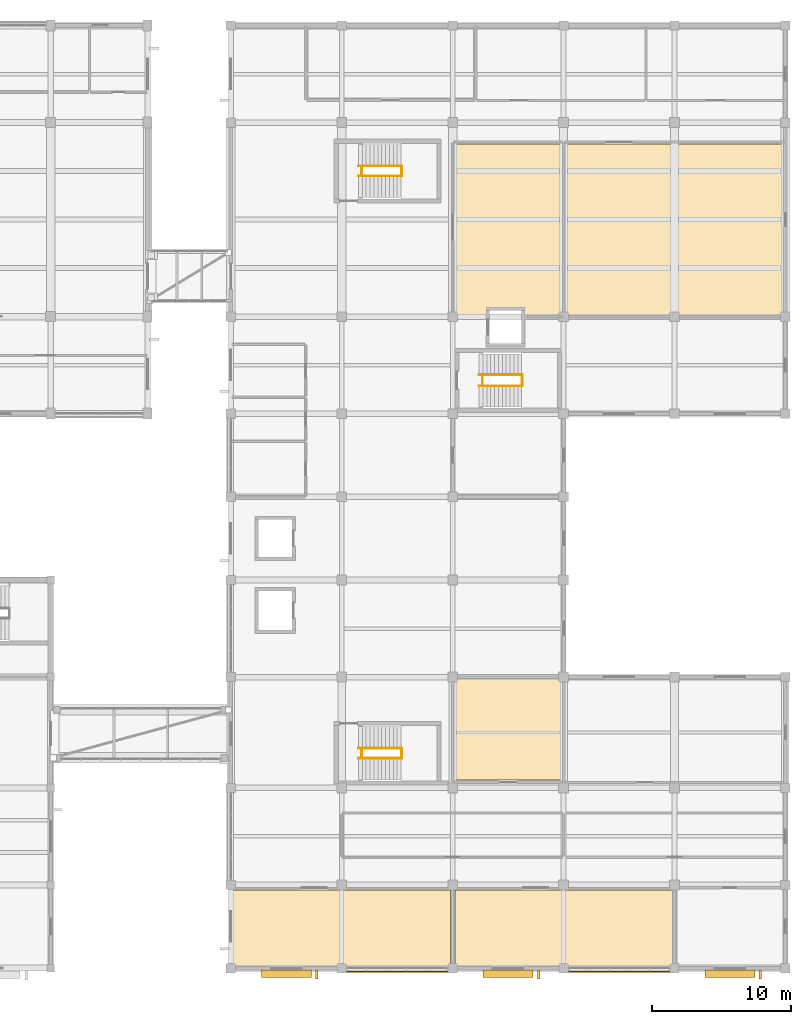
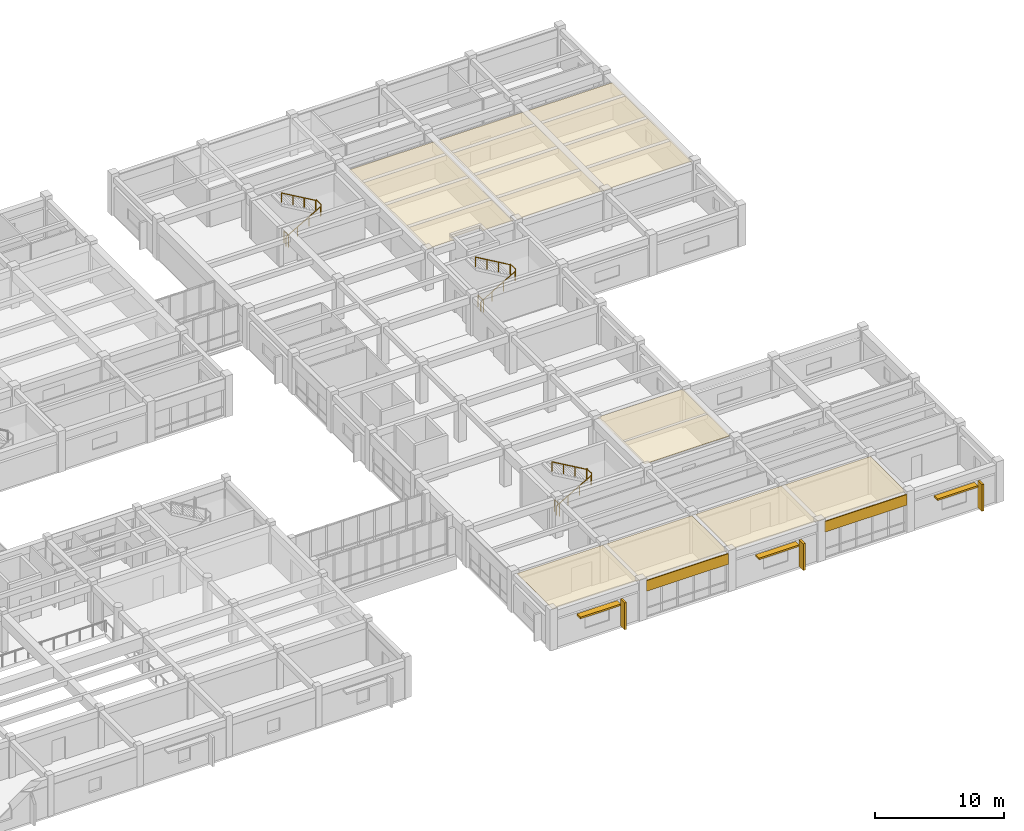
# One storey, part 65 of 66: 12 railings, 7 coverings, 6 shading devices.
"""IFC4 building model written with IfcOpenShell, lengths in metres."""

from ifc_helpers import new_model, si_unit, direction, frame, origin, origin_2d, place, context, subcontext, project, spatial, polyline, rectangle, circle, outline, extrude, material, layer, layer_set, type_object, element, save


model = new_model("IFC4")

# Units and contexts
model_context = context("Model", 3, precision=1e-05, world=origin(), true_north=direction((0.0, 1.0)))
body_context = subcontext(model_context, "Body", "Model", "MODEL_VIEW")
ifc_project = project(units=[si_unit("LENGTHUNIT", "METRE"), si_unit("AREAUNIT", "SQUARE_METRE"), si_unit("VOLUMEUNIT", "CUBIC_METRE"), si_unit("PLANEANGLEUNIT", "RADIAN"), si_unit("MASSUNIT", "GRAM", prefix="KILO")], contexts=[model_context])

# Site, building, storey
site_placement = place(None, origin())
site = spatial("IfcSite", under=ifc_project, at=site_placement, CompositionType="ELEMENT")
building_placement = place(site_placement, origin())
building = spatial("IfcBuilding", under=site, at=building_placement, Name="Naurynzar Civic Courthouse", CompositionType="ELEMENT")
storey_placement = place(building_placement, frame((0.0, 0.0, 14.39990234375)))
storey = spatial("IfcBuildingStorey", under=building, at=storey_placement, Name="L04", CompositionType="ELEMENT", Elevation=14.39990234375)

# Coverings
ifc_material_1 = material(Name="Acoustic Oak Timber Grade A", Category="wood")
ifc_layer_1 = layer(ifc_material_1, 0.044921875)
ifc_layer_set_1 = layer_set([ifc_layer_1], Name="CEIL-ACOUSTIC-OAK-45")
covering_type_1 = type_object("IfcCoveringType", Name="CEIL-ACOUSTIC-OAK-45", PredefinedType="CEILING", material=ifc_layer_set_1)
covering_1_placement = place(storey_placement, frame((0.0, 0.0, 3.51513671875)))
element("IfcCovering", 1, at=covering_1_placement, inside=storey, type_object=covering_type_1, Name="Acoustic suspended ceiling Criminal Jury Courtroom L04-S1", PredefinedType="CEILING", context=body_context, shape_type="SweptSolid", body=[
    extrude(outline(polyline([(130.159912109375, 4.159912109375), (130.159912109375, 9.639892578125), (145.840087890625, 9.639892578125), (145.840087890625, 4.159912109375), (130.159912109375, 4.159912109375)])), origin(), (0.0, 0.0, 1.0), 0.044921875),
])
covering_2_placement = place(storey_placement, frame((0.0, 0.0, 3.51513671875)))
element("IfcCovering", 2, at=covering_2_placement, inside=storey, type_object=covering_type_1, Name="Acoustic suspended ceiling Criminal Trial Courtroom L04-S2", PredefinedType="CEILING", context=body_context, shape_type="SweptSolid", body=[
    extrude(outline(polyline([(146.159912109375, 4.159912109375), (146.159912109375, 9.639892578125), (161.840087890625, 9.639892578125), (161.840087890625, 4.159912109375), (146.159912109375, 4.159912109375)])), origin(), (0.0, 0.0, 1.0), 0.044921875),
])
covering_3_placement = place(storey_placement, frame((0.0, 0.0, 3.51513671875)))
element("IfcCovering", 3, at=covering_3_placement, inside=storey, type_object=covering_type_1, Name="Acoustic suspended ceiling Criminal Trial Courtroom L04-N1", PredefinedType="CEILING", context=body_context, shape_type="SweptSolid", body=[
    extrude(outline(polyline([(151.070068359375, 51.159912109375), (151.070068359375, 51.570068359375), (148.530029296875, 51.570068359375), (148.530029296875, 51.159912109375), (146.159912109375, 51.159912109375), (146.159912109375, 63.43994140625), (153.840087890625, 63.43994140625), (153.840087890625, 51.159912109375), (151.070068359375, 51.159912109375)])), origin(), (0.0, 0.0, 1.0), 0.044921875),
])
covering_4_placement = place(storey_placement, frame((0.0, 0.0, 3.51513671875)))
element("IfcCovering", 4, at=covering_4_placement, inside=storey, type_object=covering_type_1, Name="Acoustic suspended ceiling Criminal Trial Courtroom L04-N2", PredefinedType="CEILING", context=body_context, shape_type="SweptSolid", body=[
    extrude(outline(polyline([(154.159912109375, 51.159912109375), (154.159912109375, 63.43994140625), (169.840087890625, 63.43994140625), (169.840087890625, 51.159912109375), (154.159912109375, 51.159912109375)])), origin(), (0.0, 0.0, 1.0), 0.044921875),
])
ifc_material_2 = material(Name="Mineral Fibre Acoustic Ceiling")
ifc_layer_2 = layer(ifc_material_2, 0.030029296875)
ifc_layer_set_2 = layer_set([ifc_layer_2], Name="CEIL-MINERAL-30")
covering_type_2 = type_object("IfcCoveringType", Name="CEIL-MINERAL-30", PredefinedType="CEILING", material=ifc_layer_set_2)
covering_5_placement = place(storey_placement, frame((0.0, 0.0, 3.51513671875)))
element("IfcCovering", 5, at=covering_5_placement, inside=storey, type_object=covering_type_2, Name="Acoustic suspended ceiling Jury Room L04-S", PredefinedType="CEILING", context=body_context, shape_type="SweptSolid", body=[
    extrude(outline(polyline([(146.159912109375, 17.56005859375), (146.159912109375, 24.840087890625), (153.840087890625, 24.840087890625), (153.840087890625, 17.56005859375), (146.159912109375, 17.56005859375)])), origin(), (0.0, 0.0, 1.0), 0.030029296875),
])
ifc_material_3 = material(Name="Precast concrete C40/50", Category="concrete")
ifc_layer_3 = layer(ifc_material_3, 0.080078125)
ifc_layer_set_3 = layer_set([ifc_layer_3], Name="COV-CLAD-PRECAST-80")
covering_type_3 = type_object("IfcCoveringType", Name="COV-CLAD-PRECAST-80", PredefinedType="CLADDING", material=ifc_layer_set_3)
for number, where, z_axis, x_axis, name in (
    (6, (158.0, 3.7451171875, 2.60986328125), (0.0, 0.0, 1.0), (-1.0, 0.0, 0.0), "V5 precast spandrel cladding 100"),
    (7, (142.0, 3.7451171875, 2.60986328125), (0.0, 0.0, 1.0), (-1.0, 0.0, 0.0), "V5 precast spandrel cladding 101"),
):
    element("IfcCovering", number, at=place(storey_placement, frame(where, z_axis=z_axis, x_axis=x_axis)), inside=storey, type_object=covering_type_3, Name=name, PredefinedType="CLADDING", context=body_context, shape_type="SweptSolid", body=[
        extrude(rectangle(XDim=7.324951171875, YDim=0.080078125, at=origin_2d()), origin(), (0.0, 0.0, 1.0), 1.010009765625),
    ])

# Railings
ifc_material_4 = material(Name="Brushed Stainless Steel 304", Category="steel")
railing_type_1 = type_object("IfcRailingType", Name="RAIL-BAL-1100", PredefinedType="BALUSTRADE", material=ifc_material_4)
for number, where, name in (
    (8, (139.43994140625, 19.139892578125, 0.0), "Stair ST-V5A floor well slot guard L04"),
    (9, (142.320068359375, 19.139892578125, 1.9501953125), "Stair ST-V5A-L04 half-landing well guard"),
    (10, (139.43994140625, 61.139892578125, 0.0), "Stair ST-V5B floor well slot guard L04"),
    (11, (142.320068359375, 61.139892578125, 1.9501953125), "Stair ST-V5B-L04 half-landing well guard"),
):
    element("IfcRailing", number, at=place(storey_placement, frame(where)), inside=storey, type_object=railing_type_1, Name=name, PredefinedType="BALUSTRADE", context=body_context, shape_type="SweptSolid", body=[
        extrude(circle(Radius=0.02392578125, at=origin_2d()), frame((0.0, 0.0, 1.09619140625), z_axis=(0.0, 1.0, 0.0), x_axis=(-1.0, 0.0, 0.0)), (0.0, 0.0, 1.0), 0.72021484375),
        extrude(circle(Radius=0.02099609375, at=origin_2d()), origin(), (0.0, 0.0, 1.0), 1.072021484375),
        extrude(circle(Radius=0.02099609375, at=origin_2d()), frame((0.0, 0.72021484375, 0.0)), (0.0, 0.0, 1.0), 1.072021484375),
    ])
for number, where, name in (
    (12, (148.139892578125, 45.989990234375, 0.0), "Stair ST-CUS floor well slot guard L04"),
    (13, (151.02001953125, 45.989990234375, 1.9501953125), "Stair ST-CUS-L04 half-landing well guard"),
):
    element("IfcRailing", number, at=place(storey_placement, frame(where)), inside=storey, type_object=railing_type_1, Name=name, PredefinedType="BALUSTRADE", context=body_context, shape_type="SweptSolid", body=[
        extrude(circle(Radius=0.02392578125, at=origin_2d()), frame((0.0, 0.0, 1.09619140625), z_axis=(0.0, 1.0, 0.0), x_axis=(-1.0, 0.0, 0.0)), (0.0, 0.0, 1.0), 0.820068359375),
        extrude(circle(Radius=0.02099609375, at=origin_2d()), origin(), (0.0, 0.0, 1.0), 1.072021484375),
        extrude(circle(Radius=0.02099609375, at=origin_2d()), frame((0.0, 0.820068359375, 0.0)), (0.0, 0.0, 1.0), 1.072021484375),
    ])
ifc_material_5 = material(Name="Brushed Stainless Steel 304", Category="steel")
railing_type_2 = type_object("IfcRailingType", Name="RAIL-HR-900", PredefinedType="HANDRAIL", material=ifc_material_5)
railing_1_placement = place(storey_placement, frame((139.199951171875, 19.139892578125, 0.16259765625)))
element("IfcRailing", 14, at=railing_1_placement, inside=storey, type_object=railing_type_2, Name="Stair ST-V5A-L04 flight 1 handrail", PredefinedType="HANDRAIL", context=body_context, shape_type="SweptSolid", body=[
    extrude(circle(Radius=0.02392578125, at=origin_2d()), frame((0.0, 0.0, 0.8759765625), z_axis=(0.864890721111, 0.0, 0.501960198159), x_axis=(0.0, 1.0, 0.0)), (0.0, 0.0, 1.0), 3.561279296875),
    extrude(circle(Radius=0.02099609375, at=origin_2d()), origin(), (0.0, 0.0, 1.0), 0.851806640625),
    extrude(circle(Radius=0.02099609375, at=origin_2d()), frame((1.026611328125, 0.0, 0.595947265625)), (0.0, 0.0, 1.0), 0.851806640625),
    extrude(circle(Radius=0.02099609375, at=origin_2d()), frame((2.053466796875, 0.0, 1.191650390625)), (0.0, 0.0, 1.0), 0.851806640625),
    extrude(circle(Radius=0.02099609375, at=origin_2d()), frame((3.080078125, 0.0, 1.78759765625)), (0.0, 0.0, 1.0), 0.851806640625),
])
railing_2_placement = place(storey_placement, frame((142.280029296875, 19.860107421875, 2.112548828125)))
element("IfcRailing", 15, at=railing_2_placement, inside=storey, type_object=railing_type_2, Name="Stair ST-V5A-L04 flight 2 handrail", PredefinedType="HANDRAIL", context=body_context, shape_type="SweptSolid", body=[
    extrude(circle(Radius=0.02392578125, at=origin_2d()), frame((0.0, 0.0, 0.8759765625), z_axis=(-0.864890721111, 0.0, 0.501960198159), x_axis=(0.0, -1.0, 0.0)), (0.0, 0.0, 1.0), 3.561279296875),
    extrude(circle(Radius=0.02099609375, at=origin_2d()), origin(), (0.0, 0.0, 1.0), 0.851806640625),
    extrude(circle(Radius=0.02099609375, at=origin_2d()), frame((-1.026611328125, 0.0, 0.595947265625)), (0.0, 0.0, 1.0), 0.851806640625),
    extrude(circle(Radius=0.02099609375, at=origin_2d()), frame((-2.053466796875, 0.0, 1.191650390625)), (0.0, 0.0, 1.0), 0.851806640625),
    extrude(circle(Radius=0.02099609375, at=origin_2d()), frame((-3.080078125, 0.0, 1.78759765625)), (0.0, 0.0, 1.0), 0.851806640625),
])
railing_3_placement = place(storey_placement, frame((139.199951171875, 61.139892578125, 0.16259765625)))
element("IfcRailing", 16, at=railing_3_placement, inside=storey, type_object=railing_type_2, Name="Stair ST-V5B-L04 flight 1 handrail", PredefinedType="HANDRAIL", context=body_context, shape_type="SweptSolid", body=[
    extrude(circle(Radius=0.02392578125, at=origin_2d()), frame((0.0, 0.0, 0.8759765625), z_axis=(0.864890721111, 0.0, 0.501960198159), x_axis=(0.0, 1.0, 0.0)), (0.0, 0.0, 1.0), 3.561279296875),
    extrude(circle(Radius=0.02099609375, at=origin_2d()), origin(), (0.0, 0.0, 1.0), 0.851806640625),
    extrude(circle(Radius=0.02099609375, at=origin_2d()), frame((1.026611328125, 0.0, 0.595947265625)), (0.0, 0.0, 1.0), 0.851806640625),
    extrude(circle(Radius=0.02099609375, at=origin_2d()), frame((2.053466796875, 0.0, 1.191650390625)), (0.0, 0.0, 1.0), 0.851806640625),
    extrude(circle(Radius=0.02099609375, at=origin_2d()), frame((3.080078125, 0.0, 1.78759765625)), (0.0, 0.0, 1.0), 0.851806640625),
])
railing_4_placement = place(storey_placement, frame((142.280029296875, 61.860107421875, 2.112548828125)))
element("IfcRailing", 17, at=railing_4_placement, inside=storey, type_object=railing_type_2, Name="Stair ST-V5B-L04 flight 2 handrail", PredefinedType="HANDRAIL", context=body_context, shape_type="SweptSolid", body=[
    extrude(circle(Radius=0.02392578125, at=origin_2d()), frame((0.0, 0.0, 0.8759765625), z_axis=(-0.864890721111, 0.0, 0.501960198159), x_axis=(0.0, -1.0, 0.0)), (0.0, 0.0, 1.0), 3.561279296875),
    extrude(circle(Radius=0.02099609375, at=origin_2d()), origin(), (0.0, 0.0, 1.0), 0.851806640625),
    extrude(circle(Radius=0.02099609375, at=origin_2d()), frame((-1.026611328125, 0.0, 0.595947265625)), (0.0, 0.0, 1.0), 0.851806640625),
    extrude(circle(Radius=0.02099609375, at=origin_2d()), frame((-2.053466796875, 0.0, 1.191650390625)), (0.0, 0.0, 1.0), 0.851806640625),
    extrude(circle(Radius=0.02099609375, at=origin_2d()), frame((-3.080078125, 0.0, 1.78759765625)), (0.0, 0.0, 1.0), 0.851806640625),
])
railing_5_placement = place(storey_placement, frame((147.89990234375, 45.989990234375, 0.16259765625)))
element("IfcRailing", 18, at=railing_5_placement, inside=storey, type_object=railing_type_2, Name="Stair ST-CUS-L04 flight 1 handrail", PredefinedType="HANDRAIL", context=body_context, shape_type="SweptSolid", body=[
    extrude(circle(Radius=0.02392578125, at=origin_2d()), frame((0.0, 0.0, 0.8759765625), z_axis=(0.864890721111, 0.0, 0.501960198159), x_axis=(0.0, 1.0, 0.0)), (0.0, 0.0, 1.0), 3.561279296875),
    extrude(circle(Radius=0.02099609375, at=origin_2d()), origin(), (0.0, 0.0, 1.0), 0.851806640625),
    extrude(circle(Radius=0.02099609375, at=origin_2d()), frame((1.026611328125, 0.0, 0.595947265625)), (0.0, 0.0, 1.0), 0.851806640625),
    extrude(circle(Radius=0.02099609375, at=origin_2d()), frame((2.053466796875, 0.0, 1.191650390625)), (0.0, 0.0, 1.0), 0.851806640625),
    extrude(circle(Radius=0.02099609375, at=origin_2d()), frame((3.080078125, 0.0, 1.78759765625)), (0.0, 0.0, 1.0), 0.851806640625),
])
railing_6_placement = place(storey_placement, frame((150.97998046875, 46.81005859375, 2.112548828125)))
element("IfcRailing", 19, at=railing_6_placement, inside=storey, type_object=railing_type_2, Name="Stair ST-CUS-L04 flight 2 handrail", PredefinedType="HANDRAIL", context=body_context, shape_type="SweptSolid", body=[
    extrude(circle(Radius=0.02392578125, at=origin_2d()), frame((0.0, 0.0, 0.8759765625), z_axis=(-0.864890721111, 0.0, 0.501960198159), x_axis=(0.0, -1.0, 0.0)), (0.0, 0.0, 1.0), 3.561279296875),
    extrude(circle(Radius=0.02099609375, at=origin_2d()), origin(), (0.0, 0.0, 1.0), 0.851806640625),
    extrude(circle(Radius=0.02099609375, at=origin_2d()), frame((-1.026611328125, 0.0, 0.595947265625)), (0.0, 0.0, 1.0), 0.851806640625),
    extrude(circle(Radius=0.02099609375, at=origin_2d()), frame((-2.053466796875, 0.0, 1.191650390625)), (0.0, 0.0, 1.0), 0.851806640625),
    extrude(circle(Radius=0.02099609375, at=origin_2d()), frame((-3.080078125, 0.0, 1.78759765625)), (0.0, 0.0, 1.0), 0.851806640625),
])

# Shading devices
ifc_material_6 = material(Name="Precast concrete C40/50", Category="concrete")
shading_device_type_1 = type_object("IfcShadingDeviceType", Name="SHD-FIN-V650", PredefinedType="JALOUSIE", material=ifc_material_6)
for number, where, z_axis, x_axis, name in (
    (20, (168.197509765625, 3.550048828125, 0.0400390625), (0.0, 0.0, 1.0), (-1.0, 0.0, 0.0), "V5 vertical brise-soleil fin 85"),
    (21, (152.197509765625, 3.550048828125, 0.0400390625), (0.0, 0.0, 1.0), (-1.0, 0.0, 0.0), "V5 vertical brise-soleil fin 86"),
    (22, (136.197509765625, 3.550048828125, 0.0400390625), (0.0, 0.0, 1.0), (-1.0, 0.0, 0.0), "V5 vertical brise-soleil fin 87"),
):
    element("IfcShadingDevice", number, at=place(storey_placement, frame(where, z_axis=z_axis, x_axis=x_axis)), inside=storey, type_object=shading_device_type_1, Name=name, PredefinedType="JALOUSIE", context=body_context, shape_type="SweptSolid", body=[
        extrude(rectangle(XDim=0.179931640625, YDim=0.64990234375, at=origin_2d()), origin(), (0.0, 0.0, 1.0), 2.530029296875),
    ])
ifc_material_7 = material(Name="Precast concrete C40/50", Category="concrete")
shading_device_type_2 = type_object("IfcShadingDeviceType", Name="SHD-LOUV-H550", PredefinedType="SHUTTER", material=ifc_material_7)
for number, where, z_axis, x_axis, name in (
    (23, (166.0, 3.60009765625, 2.3701171875), (0.0, 0.0, 1.0), (-1.0, 0.0, 0.0), "V5 horizontal solar sun-breaker 85"),
    (24, (150.0, 3.60009765625, 2.3701171875), (0.0, 0.0, 1.0), (-1.0, 0.0, 0.0), "V5 horizontal solar sun-breaker 86"),
    (25, (134.0, 3.60009765625, 2.3701171875), (0.0, 0.0, 1.0), (-1.0, 0.0, 0.0), "V5 horizontal solar sun-breaker 87"),
):
    element("IfcShadingDevice", number, at=place(storey_placement, frame(where, z_axis=z_axis, x_axis=x_axis)), inside=storey, type_object=shading_device_type_2, Name=name, PredefinedType="SHUTTER", context=body_context, shape_type="SweptSolid", body=[
        extrude(rectangle(XDim=3.60009765625, YDim=0.550048828125, at=origin_2d()), origin(), (0.0, 0.0, 1.0), 0.159912109375),
    ])

save(model, "model.ifc")
